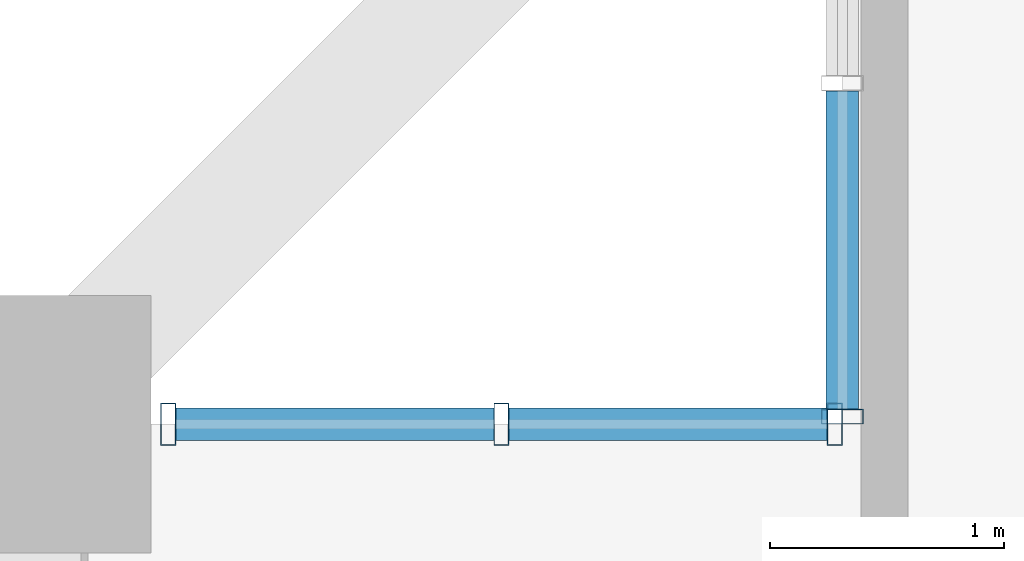
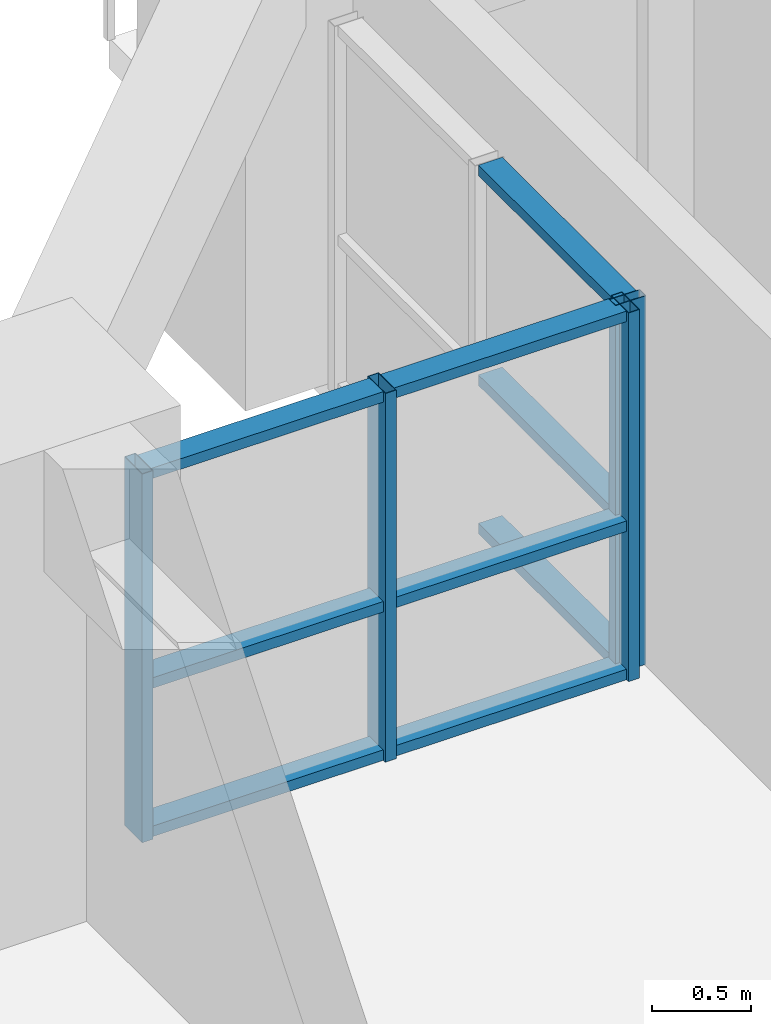
# One storey, part 6 of 27: 13 members, 2 elements without a shape of their own.
"""IFC4 building model written with IfcOpenShell, lengths in metres."""

from ifc_helpers import new_model, si_unit, direction, frame, origin, origin_2d, place, context, subcontext, project, spatial, hollow_rectangle, extrude, source, transform, mapped, material, layer, layer_set, material_profile, profile_set, type_object, element, aggregate, save


model = new_model("IFC4")

# Units and contexts
model_context = context("Model", 3, precision=1e-05, world=origin(), true_north=direction((0.0, 1.0)))
body_context = subcontext(model_context, "Body", "Model", "MODEL_VIEW")
ifc_project = project(units=[si_unit("LENGTHUNIT", "METRE"), si_unit("AREAUNIT", "SQUARE_METRE"), si_unit("VOLUMEUNIT", "CUBIC_METRE"), si_unit("PLANEANGLEUNIT", "RADIAN"), si_unit("MASSUNIT", "GRAM", prefix="KILO")], contexts=[model_context])

# Site, building, storey
site_placement = place(None, origin())
site = spatial("IfcSite", under=ifc_project, at=site_placement, CompositionType="ELEMENT")
building_placement = place(site_placement, origin())
building = spatial("IfcBuilding", under=site, at=building_placement, Name="Saelheon Loggia Tower", CompositionType="ELEMENT")
storey_placement = place(building_placement, frame((0.0, 0.0, 43.39990234375)))
storey = spatial("IfcBuildingStorey", under=building, at=storey_placement, Name="L13", CompositionType="ELEMENT", Elevation=43.39990234375)

# Curtain wall, member
ifc_material_1 = material(Name="Thermal-Break Aluminium and Triple Low-E Glass", Category="aluminium")
ifc_layer = layer(ifc_material_1, 0.159912109375)
ifc_layer_set = layer_set([ifc_layer], Name="Thermal-Break Aluminium and Triple Low-E Glass")
curtain_wall_type = type_object("IfcCurtainWallType", Name="CW_TowerLoggiaLow", PredefinedType="NOTDEFINED", material=ifc_layer_set)
curtain_wall_1_placement = place(storey_placement, origin())
curtain_wall_1 = element("IfcCurtainWall", 1, at=curtain_wall_1_placement, inside=storey, type_object=curtain_wall_type, Name="L13 Corner Notch Glazing NW1", PredefinedType="NOTDEFINED")
ifc_material_2 = material(Name="Anodised Aluminium 6063-T6", Category="aluminium")
ifc_material_profile_1 = material_profile(ifc_material_2, hollow_rectangle(XDim=0.06494140625, YDim=0.179931640625, WallThickness=0.00390625, at=origin_2d()), Name="RHS-180x65x4")
ifc_profile_set_1 = profile_set([ifc_material_profile_1], Name="Anodised Aluminium 6063-T6")
member_type_1 = type_object("IfcMemberType", Name="CW_TowerLoggiaLow_Mullion", PredefinedType="MULLION", material=ifc_profile_set_1)
shared_shape_1 = source(origin(), body_context, "Body", "SweptSolid", [
    extrude(hollow_rectangle(XDim=0.06494140625, YDim=0.179931640625, WallThickness=0.00390625, at=origin_2d()), origin(), (0.0, 0.0, 1.0), 2.280029296875),
])
member_1_placement = place(storey_placement, frame((15.5, 47.532470703125, 0.0), z_axis=(0.0, 0.0, 1.0), x_axis=(0.0, 1.0, 0.0)))
member_1 = element("IfcMember", 2, at=member_1_placement, type_object=member_type_1, Name="CW3 mullion 1", PredefinedType="MULLION", context=body_context, shape_type="MappedRepresentation", body=[
    mapped(shared_shape_1, transform((0.0, 0.0, 0.0), scale=1.0)),
])

# Curtain wall, members
curtain_wall_2_placement = place(storey_placement, origin())
curtain_wall_2 = element("IfcCurtainWall", 3, at=curtain_wall_2_placement, inside=storey, type_object=curtain_wall_type, Name="L13 Corner Notch Glazing NW2", PredefinedType="NOTDEFINED")
member_2_placement = place(storey_placement, frame((12.62255859375, 47.5, 0.0), z_axis=(0.0, 0.0, 1.0), x_axis=(1.0, 0.0, 0.0)))
member_2 = element("IfcMember", 4, at=member_2_placement, type_object=member_type_1, Name="CW3 mullion 1", PredefinedType="MULLION", context=body_context, shape_type="MappedRepresentation", body=[
    mapped(shared_shape_1, transform((0.0, 0.0, 0.0), scale=1.0)),
])
member_3_placement = place(storey_placement, frame((14.044921875, 47.5, 0.0), z_axis=(0.0, 0.0, 1.0), x_axis=(1.0, 0.0, 0.0)))
member_3 = element("IfcMember", 5, at=member_3_placement, type_object=member_type_1, Name="CW3 mullion 2", PredefinedType="MULLION", context=body_context, shape_type="MappedRepresentation", body=[
    mapped(shared_shape_1, transform((0.0, 0.0, 0.0), scale=1.0)),
])
member_4_placement = place(storey_placement, frame((15.467529296875, 47.5, 0.0), z_axis=(0.0, 0.0, 1.0), x_axis=(1.0, 0.0, 0.0)))
member_4 = element("IfcMember", 6, at=member_4_placement, type_object=member_type_1, Name="CW3 mullion 3", PredefinedType="MULLION", context=body_context, shape_type="MappedRepresentation", body=[
    mapped(shared_shape_1, transform((0.0, 0.0, 0.0), scale=1.0)),
])
ifc_material_profile_2 = material_profile(ifc_material_2, hollow_rectangle(XDim=0.06494140625, YDim=0.139892578125, WallThickness=0.00390625, at=origin_2d()), Name="RHS-140x65x4")
ifc_profile_set_2 = profile_set([ifc_material_profile_2], Name="Anodised Aluminium 6063-T6")
member_type_2 = type_object("IfcMemberType", Name="CW_TowerLoggiaLow_Transom", PredefinedType="USERDEFINED", material=ifc_profile_set_2)
shared_shape_2 = source(origin(), body_context, "Body", "SweptSolid", [
    extrude(hollow_rectangle(XDim=0.06494140625, YDim=0.139892578125, WallThickness=0.00390625, at=origin_2d()), origin(), (0.0, 0.0, 1.0), 1.357421875),
])
member_5_placement = place(storey_placement, frame((12.655029296875, 47.5, 0.03271484375), z_axis=(1.0, 0.0, 0.0), x_axis=(0.0, 0.0, 1.0)))
member_5 = element("IfcMember", 7, at=member_5_placement, type_object=member_type_2, Name="CW3 transom 1.1", ObjectType="TRANSOM", PredefinedType="USERDEFINED", context=body_context, shape_type="MappedRepresentation", body=[
    mapped(shared_shape_2, transform((0.0, 0.0, 0.0), scale=1.0)),
])
member_6_placement = place(storey_placement, frame((12.655029296875, 47.5, 0.9501953125), z_axis=(1.0, 0.0, 0.0), x_axis=(0.0, 0.0, 1.0)))
member_6 = element("IfcMember", 8, at=member_6_placement, type_object=member_type_2, Name="CW3 transom 1.2", ObjectType="TRANSOM", PredefinedType="USERDEFINED", context=body_context, shape_type="MappedRepresentation", body=[
    mapped(shared_shape_2, transform((0.0, 0.0, 0.0), scale=1.0)),
])
member_7_placement = place(storey_placement, frame((12.655029296875, 47.5, 2.24755859375), z_axis=(1.0, 0.0, 0.0), x_axis=(0.0, 0.0, 1.0)))
member_7 = element("IfcMember", 9, at=member_7_placement, type_object=member_type_2, Name="CW3 transom 1.3", ObjectType="TRANSOM", PredefinedType="USERDEFINED", context=body_context, shape_type="MappedRepresentation", body=[
    mapped(shared_shape_2, transform((0.0, 0.0, 0.0), scale=1.0)),
])

# Member
shared_shape_3 = source(origin(), body_context, "Body", "SweptSolid", [
    extrude(hollow_rectangle(XDim=0.06494140625, YDim=0.139892578125, WallThickness=0.00390625, at=origin_2d()), origin(), (0.0, 0.0, 1.0), 1.357666015625),
])
member_8_placement = place(storey_placement, frame((15.5, 47.56494140625, 0.03271484375), z_axis=(0.0, 1.0, 0.0), x_axis=(0.0, 0.0, 1.0)))
member_8 = element("IfcMember", 10, at=member_8_placement, type_object=member_type_2, Name="CW3 transom 1.1", ObjectType="TRANSOM", PredefinedType="USERDEFINED", context=body_context, shape_type="MappedRepresentation", body=[
    mapped(shared_shape_3, transform((0.0, 0.0, 0.0), scale=1.0)),
])

member_9_placement = place(storey_placement, frame((15.5, 47.56494140625, 0.9501953125), z_axis=(0.0, 1.0, 0.0), x_axis=(0.0, 0.0, 1.0)))
member_9 = element("IfcMember", 11, at=member_9_placement, type_object=member_type_2, Name="CW3 transom 1.2", ObjectType="TRANSOM", PredefinedType="USERDEFINED", context=body_context, shape_type="MappedRepresentation", body=[
    mapped(shared_shape_3, transform((0.0, 0.0, 0.0), scale=1.0)),
])

member_10_placement = place(storey_placement, frame((15.5, 47.56494140625, 2.24755859375), z_axis=(0.0, 1.0, 0.0), x_axis=(0.0, 0.0, 1.0)))
member_10 = element("IfcMember", 12, at=member_10_placement, type_object=member_type_2, Name="CW3 transom 1.3", ObjectType="TRANSOM", PredefinedType="USERDEFINED", context=body_context, shape_type="MappedRepresentation", body=[
    mapped(shared_shape_3, transform((0.0, 0.0, 0.0), scale=1.0)),
])

aggregate(curtain_wall_1, [member_1, member_8, member_9, member_10])

member_11_placement = place(storey_placement, frame((14.077392578125, 47.5, 0.03271484375), z_axis=(1.0, 0.0, 0.0), x_axis=(0.0, 0.0, 1.0)))
member_11 = element("IfcMember", 13, at=member_11_placement, type_object=member_type_2, Name="CW3 transom 2.1", ObjectType="TRANSOM", PredefinedType="USERDEFINED", context=body_context, shape_type="MappedRepresentation", body=[
    mapped(shared_shape_3, transform((0.0, 0.0, 0.0), scale=1.0)),
])

member_12_placement = place(storey_placement, frame((14.077392578125, 47.5, 0.9501953125), z_axis=(1.0, 0.0, 0.0), x_axis=(0.0, 0.0, 1.0)))
member_12 = element("IfcMember", 14, at=member_12_placement, type_object=member_type_2, Name="CW3 transom 2.2", ObjectType="TRANSOM", PredefinedType="USERDEFINED", context=body_context, shape_type="MappedRepresentation", body=[
    mapped(shared_shape_3, transform((0.0, 0.0, 0.0), scale=1.0)),
])

member_13_placement = place(storey_placement, frame((14.077392578125, 47.5, 2.24755859375), z_axis=(1.0, 0.0, 0.0), x_axis=(0.0, 0.0, 1.0)))
member_13 = element("IfcMember", 15, at=member_13_placement, type_object=member_type_2, Name="CW3 transom 2.3", ObjectType="TRANSOM", PredefinedType="USERDEFINED", context=body_context, shape_type="MappedRepresentation", body=[
    mapped(shared_shape_3, transform((0.0, 0.0, 0.0), scale=1.0)),
])

aggregate(curtain_wall_2, [member_2, member_3, member_4, member_5, member_6, member_7, member_11, member_12, member_13])

save(model, "model.ifc")
